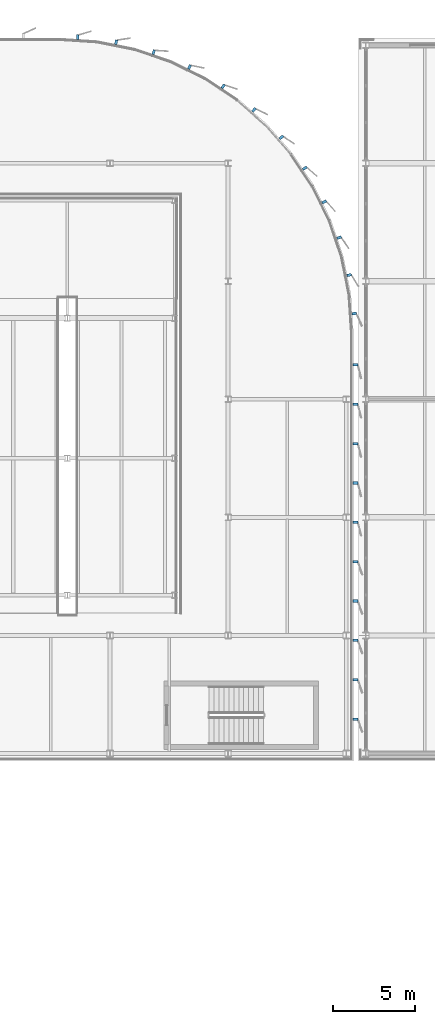
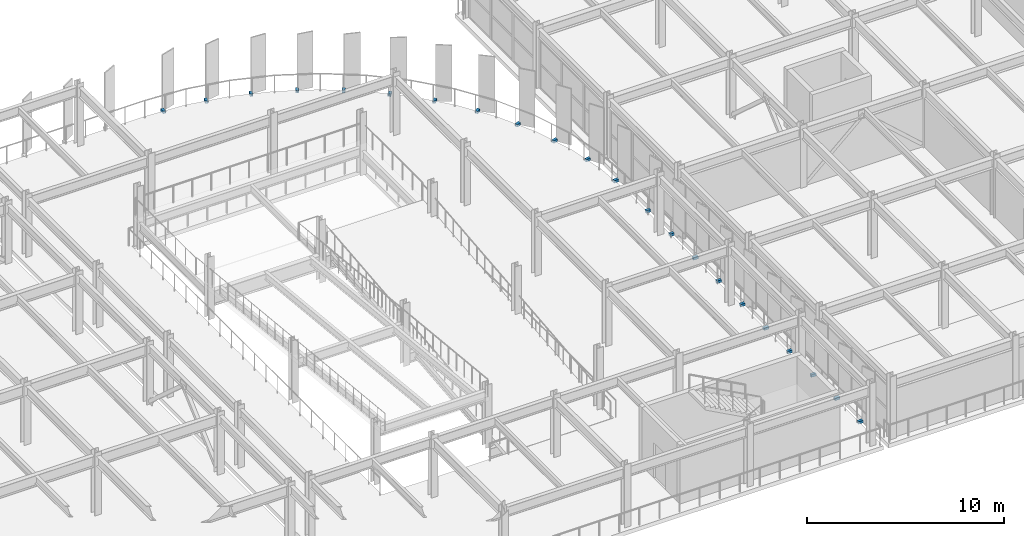
# One storey, part 74 of 93: 22 discrete accessories.
"""IFC4 building model written with IfcOpenShell, lengths in metres."""

from ifc_helpers import new_model, si_unit, direction, frame, origin, origin_2d, place, context, subcontext, project, spatial, rectangle, extrude, material, type_object, element, save


model = new_model("IFC4")

# Units and contexts
model_context = context("Model", 3, precision=1e-05, world=origin(), true_north=direction((0.0, 1.0)))
body_context = subcontext(model_context, "Body", "Model", "MODEL_VIEW")
ifc_project = project(units=[si_unit("LENGTHUNIT", "METRE"), si_unit("AREAUNIT", "SQUARE_METRE"), si_unit("VOLUMEUNIT", "CUBIC_METRE"), si_unit("PLANEANGLEUNIT", "RADIAN"), si_unit("MASSUNIT", "GRAM", prefix="KILO")], contexts=[model_context])

# Site, building, storey
site_placement = place(None, origin())
site = spatial("IfcSite", under=ifc_project, at=site_placement, CompositionType="ELEMENT")
building_placement = place(site_placement, origin())
building = spatial("IfcBuilding", under=site, at=building_placement, Name="Vaelcorin Mobility Hub", CompositionType="ELEMENT")
storey_placement = place(building_placement, frame((0.0, 0.0, 5.39990234375)))
storey = spatial("IfcBuildingStorey", under=building, at=storey_placement, Name="L01", CompositionType="ELEMENT", Elevation=5.39990234375)

# Discrete accessories
ifc_material = material(Name="Galvanised structural steel ASTM A36", Category="steel")
discrete_accessory_type = type_object("IfcDiscreteAccessoryType", Name="ACC-BRK-FIN", PredefinedType="BRACKET", material=ifc_material)
for number, where, z_axis, x_axis, name in (
    (1, (152.89306640625, 103.632080078125, -0.15966796875), (0.0, 0.0, 1.0), (0.997857781587, 0.065420545144, 0.0), "Aerofoil Outrigger Bracket FIN-V2E-L01-ABK-01"),
    (2, (152.583984375, 105.97705078125, -0.15966796875), (0.0, 0.0, 1.0), (0.980826118513, 0.19488490255, 0.0), "Aerofoil Outrigger Bracket FIN-V2E-L01-ABK-02"),
    (3, (151.971923828125, 108.261962890625, -0.15966796875), (0.0, 0.0, 1.0), (0.946885238849, 0.321571678558, 0.0), "Aerofoil Outrigger Bracket FIN-V2E-L01-ABK-03"),
    (4, (151.06689453125, 110.447021484375, -0.15966796875), (0.0, 0.0, 1.0), (0.896795533934, 0.442445217305, 0.0), "Aerofoil Outrigger Bracket FIN-V2E-L01-ABK-04"),
    (5, (149.884033203125, 112.49609375, -0.15966796875), (0.0, 0.0, 1.0), (0.831527786922, 0.555483158679, 0.0), "Aerofoil Outrigger Bracket FIN-V2E-L01-ABK-05"),
    (6, (148.444091796875, 114.3720703125, -0.15966796875), (0.0, 0.0, 1.0), (0.751897343393, 0.659280202189, 0.0), "Aerofoil Outrigger Bracket FIN-V2E-L01-ABK-06"),
    (7, (146.77197265625, 116.0439453125, -0.15966796875), (0.0, 0.0, 1.0), (0.659280202189, 0.751897343393, 0.0), "Aerofoil Outrigger Bracket FIN-V2E-L01-ABK-07"),
    (8, (144.89599609375, 117.48388671875, -0.15966796875), (0.0, 0.0, 1.0), (0.555483158679, 0.831527786922, 0.0), "Aerofoil Outrigger Bracket FIN-V2E-L01-ABK-08"),
    (9, (142.846923828125, 118.6669921875, -0.15966796875), (0.0, 0.0, 1.0), (0.442445217305, 0.896795533934, 0.0), "Aerofoil Outrigger Bracket FIN-V2E-L01-ABK-09"),
    (10, (140.662109375, 119.572021484375, -0.15966796875), (0.0, 0.0, 1.0), (0.321571678558, 0.946885238849, 0.0), "Aerofoil Outrigger Bracket FIN-V2E-L01-ABK-10"),
    (11, (138.376953125, 120.18408203125, -0.15966796875), (0.0, 0.0, 1.0), (0.19488490255, 0.980826118513, 0.0), "Aerofoil Outrigger Bracket FIN-V2E-L01-ABK-11"),
    (12, (136.031982421875, 120.492919921875, -0.15966796875), (0.0, 0.0, 1.0), (0.065420545144, 0.997857781587, 0.0), "Aerofoil Outrigger Bracket FIN-V2E-L01-ABK-12"),
    (13, (152.969970703125, 100.5, -0.15966796875), (0.0, 0.0, 1.0), (1.0, 0.0, 0.0), "Aerofoil Outrigger Bracket FIN-V2E-L01-E-BK-01"),
    (14, (152.969970703125, 98.10009765625, -0.15966796875), (0.0, 0.0, 1.0), (1.0, 0.0, 0.0), "Aerofoil Outrigger Bracket FIN-V2E-L01-E-BK-02"),
    (15, (152.969970703125, 95.699951171875, -0.15966796875), (0.0, 0.0, 1.0), (1.0, 0.0, 0.0), "Aerofoil Outrigger Bracket FIN-V2E-L01-E-BK-03"),
    (16, (152.969970703125, 93.300048828125, -0.15966796875), (0.0, 0.0, 1.0), (1.0, 0.0, 0.0), "Aerofoil Outrigger Bracket FIN-V2E-L01-E-BK-04"),
    (17, (152.969970703125, 90.89990234375, -0.15966796875), (0.0, 0.0, 1.0), (1.0, 0.0, 0.0), "Aerofoil Outrigger Bracket FIN-V2E-L01-E-BK-05"),
    (18, (152.969970703125, 88.5, -0.15966796875), (0.0, 0.0, 1.0), (1.0, 0.0, 0.0), "Aerofoil Outrigger Bracket FIN-V2E-L01-E-BK-06"),
    (19, (152.969970703125, 86.10009765625, -0.15966796875), (0.0, 0.0, 1.0), (1.0, 0.0, 0.0), "Aerofoil Outrigger Bracket FIN-V2E-L01-E-BK-07"),
    (20, (152.969970703125, 83.699951171875, -0.15966796875), (0.0, 0.0, 1.0), (1.0, 0.0, 0.0), "Aerofoil Outrigger Bracket FIN-V2E-L01-E-BK-08"),
    (21, (152.969970703125, 81.300048828125, -0.15966796875), (0.0, 0.0, 1.0), (1.0, 0.0, 0.0), "Aerofoil Outrigger Bracket FIN-V2E-L01-E-BK-09"),
    (22, (152.969970703125, 78.89990234375, -0.15966796875), (0.0, 0.0, 1.0), (1.0, 0.0, 0.0), "Aerofoil Outrigger Bracket FIN-V2E-L01-E-BK-10"),
):
    element("IfcDiscreteAccessory", number, at=place(storey_placement, frame(where, z_axis=z_axis, x_axis=x_axis)), inside=storey, type_object=discrete_accessory_type, Name=name, PredefinedType="BRACKET", context=body_context, shape_type="SweptSolid", body=[
        extrude(rectangle(XDim=0.280029296875, YDim=0.159912109375, at=origin_2d()), origin(), (0.0, 0.0, 1.0), 0.159912109375),
    ])

save(model, "model.ifc")
